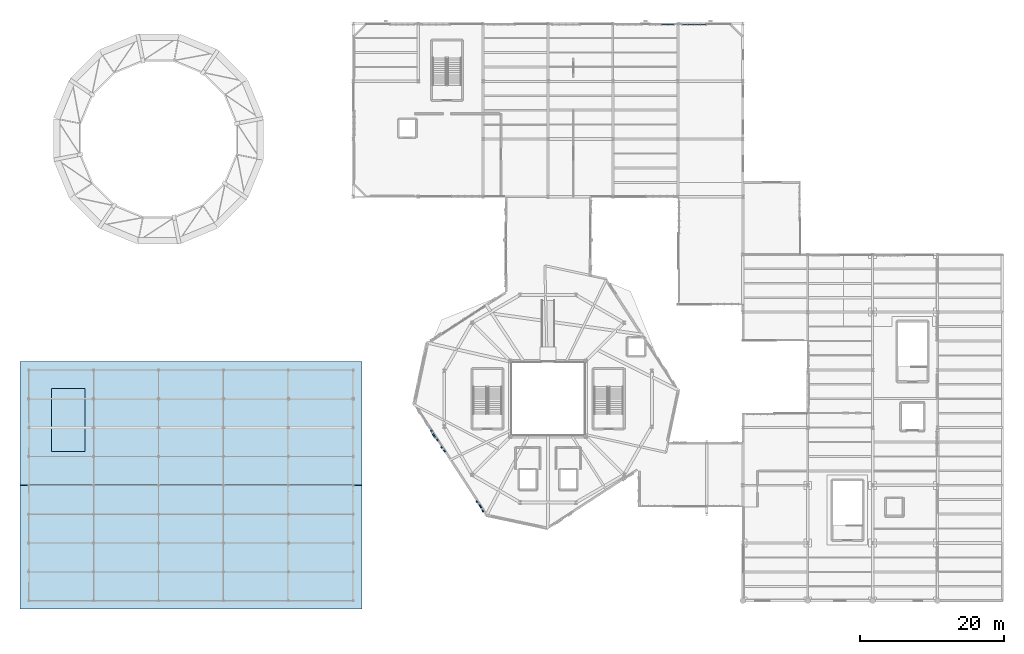
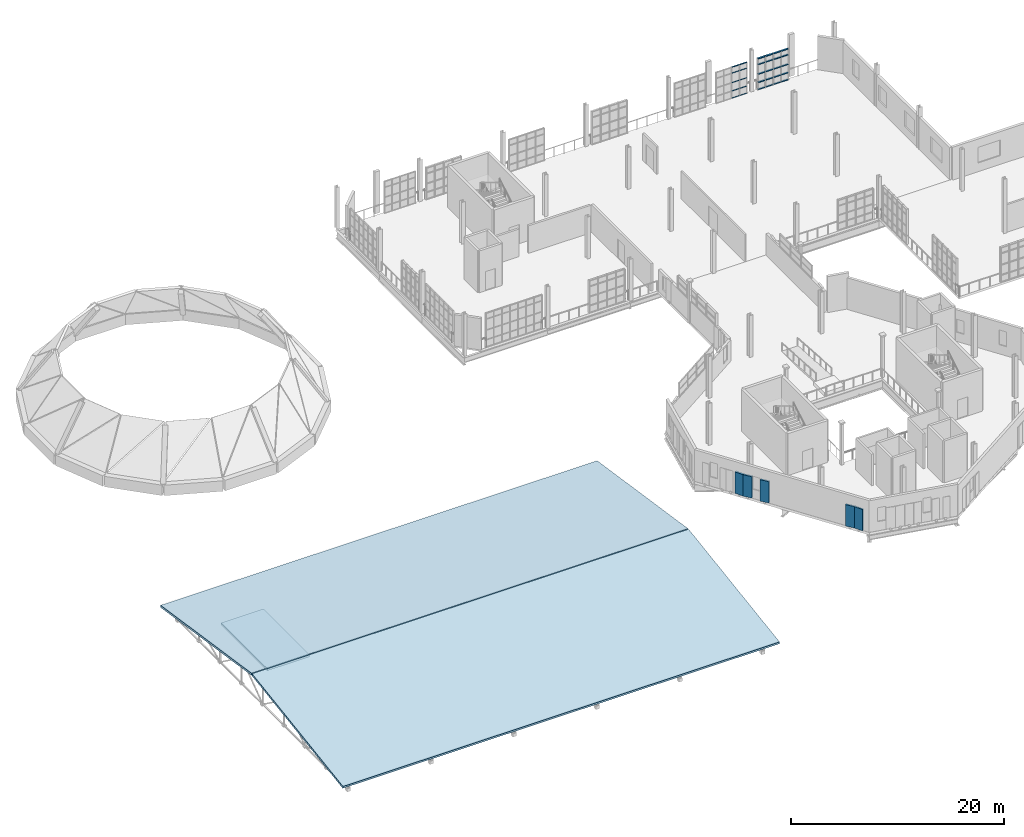
# One storey, part 86 of 118: 30 members, 5 plates, 3 slabs, 2 elements without a shape of their own.
"""IFC4 building model written with IfcOpenShell, lengths in metres."""

from ifc_helpers import new_model, si_unit, direction, frame, frame_2d, origin, origin_2d, place, context, subcontext, project, spatial, polyline, rectangle, hollow_rectangle, outline, extrude, material, layer, layer_set, material_profile, profile_set, type_object, element, aggregate, save


model = new_model("IFC4")

# Units and contexts
model_context = context("Model", 3, precision=1e-05, world=origin(), true_north=direction((0.0, 1.0)))
body_context = subcontext(model_context, "Body", "Model", "MODEL_VIEW")
ifc_project = project(units=[si_unit("LENGTHUNIT", "METRE"), si_unit("AREAUNIT", "SQUARE_METRE"), si_unit("VOLUMEUNIT", "CUBIC_METRE"), si_unit("PLANEANGLEUNIT", "RADIAN"), si_unit("MASSUNIT", "GRAM", prefix="KILO"), si_unit("THERMODYNAMICTEMPERATUREUNIT", "KELVIN"), si_unit("POWERUNIT", "WATT")], contexts=[model_context])

# Site, building, storey
site_placement = place(None, origin())
site = spatial("IfcSite", under=ifc_project, at=site_placement, CompositionType="ELEMENT")
building_placement = place(site_placement, origin())
building = spatial("IfcBuilding", under=site, at=building_placement, Name="Zelmaris Science Centre", CompositionType="ELEMENT")
storey_placement = place(building_placement, frame((0.0, 0.0, 15.60009765625)))
storey = spatial("IfcBuildingStorey", under=building, at=storey_placement, Name="L03", CompositionType="ELEMENT", Elevation=15.60009765625)

# Curtain wall, members
ifc_material_1 = material(Name="Anodised architectural aluminium 6063-T6", Category="aluminium")
ifc_layer_1 = layer(ifc_material_1, 0.219970703125, Name="Anodised architectural aluminium 6063-T6")
ifc_layer_set_1 = layer_set([ifc_layer_1], Name="Anodised architectural aluminium 6063-T6")
curtain_wall_type_1 = type_object("IfcCurtainWallType", Name="Curtain Wall CW-04", PredefinedType="USERDEFINED", material=ifc_layer_set_1)
curtain_wall_1_placement = place(storey_placement, origin())
curtain_wall_1 = element("IfcCurtainWall", 1, at=curtain_wall_1_placement, inside=storey, type_object=curtain_wall_type_1, Name="L03 Unitised curtain wall 288", ObjectType="GLAZED CURTAIN WALL", PredefinedType="USERDEFINED")
ifc_material_profile_1 = material_profile(ifc_material_1, hollow_rectangle(XDim=0.06005859375, YDim=0.110107421875, WallThickness=0.0029296875, at=origin_2d()), Name="ALU-TRN-60X110")
ifc_profile_set_1 = profile_set([ifc_material_profile_1], Name="Anodised architectural aluminium 6063-T6")
member_type_1 = type_object("IfcMemberType", Name="ALU-TRN-60X110", PredefinedType="USERDEFINED", material=ifc_profile_set_1)
member_1_placement = place(storey_placement, frame((96.77587890625, 87.8798828125, 0.010986328125), z_axis=(1.0, 0.0, 0.0), x_axis=(0.0, 0.0, 1.0)))
member_1 = element("IfcMember", 2, at=member_1_placement, type_object=member_type_1, Name="CW-04 transom 3.1", ObjectType="TRANSOM", PredefinedType="USERDEFINED", context=body_context, shape_type="SweptSolid", body=[
    extrude(hollow_rectangle(XDim=0.06005859375, YDim=0.110107421875, WallThickness=0.0029296875, at=origin_2d()), origin(), (0.0, 0.0, 1.0), 0.80322265625),
])
member_2_placement = place(storey_placement, frame((96.77587890625, 87.8798828125, 0.8349609375), z_axis=(1.0, 0.0, 0.0), x_axis=(0.0, 0.0, 1.0)))
member_2 = element("IfcMember", 3, at=member_2_placement, type_object=member_type_1, Name="CW-04 transom 3.2", ObjectType="TRANSOM", PredefinedType="USERDEFINED", context=body_context, shape_type="SweptSolid", body=[
    extrude(hollow_rectangle(XDim=0.06005859375, YDim=0.110107421875, WallThickness=0.0029296875, at=origin_2d()), origin(), (0.0, 0.0, 1.0), 0.80322265625),
])
member_3_placement = place(storey_placement, frame((96.77587890625, 87.8798828125, 1.786376953125), z_axis=(1.0, 0.0, 0.0), x_axis=(0.0, 0.0, 1.0)))
member_3 = element("IfcMember", 4, at=member_3_placement, type_object=member_type_1, Name="CW-04 transom 3.3", ObjectType="TRANSOM", PredefinedType="USERDEFINED", context=body_context, shape_type="SweptSolid", body=[
    extrude(hollow_rectangle(XDim=0.06005859375, YDim=0.110107421875, WallThickness=0.0029296875, at=origin_2d()), origin(), (0.0, 0.0, 1.0), 0.80322265625),
])
member_4_placement = place(storey_placement, frame((96.77587890625, 87.8798828125, 2.887939453125), z_axis=(1.0, 0.0, 0.0), x_axis=(0.0, 0.0, 1.0)))
member_4 = element("IfcMember", 5, at=member_4_placement, type_object=member_type_1, Name="CW-04 transom 3.4", ObjectType="TRANSOM", PredefinedType="USERDEFINED", context=body_context, shape_type="SweptSolid", body=[
    extrude(hollow_rectangle(XDim=0.06005859375, YDim=0.110107421875, WallThickness=0.0029296875, at=origin_2d()), origin(), (0.0, 0.0, 1.0), 0.80322265625),
])
member_5_placement = place(storey_placement, frame((96.77587890625, 87.8798828125, 3.56201171875), z_axis=(1.0, 0.0, 0.0), x_axis=(0.0, 0.0, 1.0)))
member_5 = element("IfcMember", 6, at=member_5_placement, type_object=member_type_1, Name="CW-04 transom 3.5", ObjectType="TRANSOM", PredefinedType="USERDEFINED", context=body_context, shape_type="SweptSolid", body=[
    extrude(hollow_rectangle(XDim=0.06005859375, YDim=0.110107421875, WallThickness=0.0029296875, at=origin_2d()), origin(), (0.0, 0.0, 1.0), 0.80322265625),
])
member_6_placement = place(storey_placement, frame((97.631103515625, 87.8798828125, 0.010986328125), z_axis=(1.0, 0.0, 0.0), x_axis=(0.0, 0.0, 1.0)))
member_6 = element("IfcMember", 7, at=member_6_placement, type_object=member_type_1, Name="CW-04 transom 4.1", ObjectType="TRANSOM", PredefinedType="USERDEFINED", context=body_context, shape_type="SweptSolid", body=[
    extrude(hollow_rectangle(XDim=0.06005859375, YDim=0.110107421875, WallThickness=0.0029296875, at=origin_2d()), origin(), (0.0, 0.0, 1.0), 0.77685546875),
])
member_7_placement = place(storey_placement, frame((97.631103515625, 87.8798828125, 0.8349609375), z_axis=(1.0, 0.0, 0.0), x_axis=(0.0, 0.0, 1.0)))
member_7 = element("IfcMember", 8, at=member_7_placement, type_object=member_type_1, Name="CW-04 transom 4.2", ObjectType="TRANSOM", PredefinedType="USERDEFINED", context=body_context, shape_type="SweptSolid", body=[
    extrude(hollow_rectangle(XDim=0.06005859375, YDim=0.110107421875, WallThickness=0.0029296875, at=origin_2d()), origin(), (0.0, 0.0, 1.0), 0.77685546875),
])
member_8_placement = place(storey_placement, frame((97.631103515625, 87.8798828125, 1.786376953125), z_axis=(1.0, 0.0, 0.0), x_axis=(0.0, 0.0, 1.0)))
member_8 = element("IfcMember", 9, at=member_8_placement, type_object=member_type_1, Name="CW-04 transom 4.3", ObjectType="TRANSOM", PredefinedType="USERDEFINED", context=body_context, shape_type="SweptSolid", body=[
    extrude(hollow_rectangle(XDim=0.06005859375, YDim=0.110107421875, WallThickness=0.0029296875, at=origin_2d()), origin(), (0.0, 0.0, 1.0), 0.77685546875),
])
member_9_placement = place(storey_placement, frame((97.631103515625, 87.8798828125, 2.887939453125), z_axis=(1.0, 0.0, 0.0), x_axis=(0.0, 0.0, 1.0)))
member_9 = element("IfcMember", 10, at=member_9_placement, type_object=member_type_1, Name="CW-04 transom 4.4", ObjectType="TRANSOM", PredefinedType="USERDEFINED", context=body_context, shape_type="SweptSolid", body=[
    extrude(hollow_rectangle(XDim=0.06005859375, YDim=0.110107421875, WallThickness=0.0029296875, at=origin_2d()), origin(), (0.0, 0.0, 1.0), 0.77685546875),
])
member_10_placement = place(storey_placement, frame((97.631103515625, 87.8798828125, 3.56201171875), z_axis=(1.0, 0.0, 0.0), x_axis=(0.0, 0.0, 1.0)))
member_10 = element("IfcMember", 11, at=member_10_placement, type_object=member_type_1, Name="CW-04 transom 4.5", ObjectType="TRANSOM", PredefinedType="USERDEFINED", context=body_context, shape_type="SweptSolid", body=[
    extrude(hollow_rectangle(XDim=0.06005859375, YDim=0.110107421875, WallThickness=0.0029296875, at=origin_2d()), origin(), (0.0, 0.0, 1.0), 0.77685546875),
])
aggregate(curtain_wall_1, [member_1, member_2, member_3, member_4, member_5, member_6, member_7, member_8, member_9, member_10])

ifc_layer_2 = layer(ifc_material_1, 0.18994140625, Name="Anodised architectural aluminium 6063-T6")
ifc_layer_set_2 = layer_set([ifc_layer_2], Name="Anodised architectural aluminium 6063-T6")
curtain_wall_type_2 = type_object("IfcCurtainWallType", Name="Curtain Wall CW-01", PredefinedType="USERDEFINED", material=ifc_layer_set_2)
curtain_wall_2_placement = place(storey_placement, origin())
curtain_wall_2 = element("IfcCurtainWall", 12, at=curtain_wall_2_placement, inside=storey, type_object=curtain_wall_type_2, Name="L03 Unitised curtain wall 289", ObjectType="GLAZED CURTAIN WALL", PredefinedType="USERDEFINED")
ifc_material_profile_2 = material_profile(ifc_material_1, hollow_rectangle(XDim=0.080078125, YDim=0.18994140625, WallThickness=0.00439453125, at=origin_2d()), Name="ALU-TRN-80X190")
ifc_profile_set_2 = profile_set([ifc_material_profile_2], Name="Anodised architectural aluminium 6063-T6")
member_type_2 = type_object("IfcMemberType", Name="ALU-TRN-80X190", PredefinedType="USERDEFINED", material=ifc_profile_set_2)
member_11_placement = place(storey_placement, frame((99.612060546875, 87.8798828125, 0.02099609375), z_axis=(1.0, 0.0, 0.0), x_axis=(0.0, 0.0, 1.0)))
member_11 = element("IfcMember", 13, at=member_11_placement, type_object=member_type_2, Name="CW-01 transom 1.1", ObjectType="TRANSOM", PredefinedType="USERDEFINED", context=body_context, shape_type="SweptSolid", body=[
    extrude(hollow_rectangle(XDim=0.080078125, YDim=0.18994140625, WallThickness=0.00439453125, at=origin_2d()), origin(), (0.0, 0.0, 1.0), 0.746826171875),
])
member_12_placement = place(storey_placement, frame((99.612060546875, 87.8798828125, 0.8349609375), z_axis=(1.0, 0.0, 0.0), x_axis=(0.0, 0.0, 1.0)))
member_12 = element("IfcMember", 14, at=member_12_placement, type_object=member_type_2, Name="CW-01 transom 1.2", ObjectType="TRANSOM", PredefinedType="USERDEFINED", context=body_context, shape_type="SweptSolid", body=[
    extrude(hollow_rectangle(XDim=0.080078125, YDim=0.18994140625, WallThickness=0.00439453125, at=origin_2d()), origin(), (0.0, 0.0, 1.0), 0.746826171875),
])
member_13_placement = place(storey_placement, frame((99.612060546875, 87.8798828125, 1.786376953125), z_axis=(1.0, 0.0, 0.0), x_axis=(0.0, 0.0, 1.0)))
member_13 = element("IfcMember", 15, at=member_13_placement, type_object=member_type_2, Name="CW-01 transom 1.3", ObjectType="TRANSOM", PredefinedType="USERDEFINED", context=body_context, shape_type="SweptSolid", body=[
    extrude(hollow_rectangle(XDim=0.080078125, YDim=0.18994140625, WallThickness=0.00439453125, at=origin_2d()), origin(), (0.0, 0.0, 1.0), 0.746826171875),
])
member_14_placement = place(storey_placement, frame((99.612060546875, 87.8798828125, 2.887939453125), z_axis=(1.0, 0.0, 0.0), x_axis=(0.0, 0.0, 1.0)))
member_14 = element("IfcMember", 16, at=member_14_placement, type_object=member_type_2, Name="CW-01 transom 1.4", ObjectType="TRANSOM", PredefinedType="USERDEFINED", context=body_context, shape_type="SweptSolid", body=[
    extrude(hollow_rectangle(XDim=0.080078125, YDim=0.18994140625, WallThickness=0.00439453125, at=origin_2d()), origin(), (0.0, 0.0, 1.0), 0.746826171875),
])
member_15_placement = place(storey_placement, frame((99.612060546875, 87.8798828125, 3.552001953125), z_axis=(1.0, 0.0, 0.0), x_axis=(0.0, 0.0, 1.0)))
member_15 = element("IfcMember", 17, at=member_15_placement, type_object=member_type_2, Name="CW-01 transom 1.5", ObjectType="TRANSOM", PredefinedType="USERDEFINED", context=body_context, shape_type="SweptSolid", body=[
    extrude(hollow_rectangle(XDim=0.080078125, YDim=0.18994140625, WallThickness=0.00439453125, at=origin_2d()), origin(), (0.0, 0.0, 1.0), 0.746826171875),
])
member_16_placement = place(storey_placement, frame((100.430908203125, 87.8798828125, 0.02099609375), z_axis=(1.0, 0.0, 0.0), x_axis=(0.0, 0.0, 1.0)))
member_16 = element("IfcMember", 18, at=member_16_placement, type_object=member_type_2, Name="CW-01 transom 2.1", ObjectType="TRANSOM", PredefinedType="USERDEFINED", context=body_context, shape_type="SweptSolid", body=[
    extrude(hollow_rectangle(XDim=0.080078125, YDim=0.18994140625, WallThickness=0.00439453125, at=origin_2d()), origin(), (0.0, 0.0, 1.0), 0.783203125),
])
member_17_placement = place(storey_placement, frame((100.430908203125, 87.8798828125, 0.8349609375), z_axis=(1.0, 0.0, 0.0), x_axis=(0.0, 0.0, 1.0)))
member_17 = element("IfcMember", 19, at=member_17_placement, type_object=member_type_2, Name="CW-01 transom 2.2", ObjectType="TRANSOM", PredefinedType="USERDEFINED", context=body_context, shape_type="SweptSolid", body=[
    extrude(hollow_rectangle(XDim=0.080078125, YDim=0.18994140625, WallThickness=0.00439453125, at=origin_2d()), origin(), (0.0, 0.0, 1.0), 0.783203125),
])
member_18_placement = place(storey_placement, frame((100.430908203125, 87.8798828125, 1.786376953125), z_axis=(1.0, 0.0, 0.0), x_axis=(0.0, 0.0, 1.0)))
member_18 = element("IfcMember", 20, at=member_18_placement, type_object=member_type_2, Name="CW-01 transom 2.3", ObjectType="TRANSOM", PredefinedType="USERDEFINED", context=body_context, shape_type="SweptSolid", body=[
    extrude(hollow_rectangle(XDim=0.080078125, YDim=0.18994140625, WallThickness=0.00439453125, at=origin_2d()), origin(), (0.0, 0.0, 1.0), 0.783203125),
])
member_19_placement = place(storey_placement, frame((100.430908203125, 87.8798828125, 2.887939453125), z_axis=(1.0, 0.0, 0.0), x_axis=(0.0, 0.0, 1.0)))
member_19 = element("IfcMember", 21, at=member_19_placement, type_object=member_type_2, Name="CW-01 transom 2.4", ObjectType="TRANSOM", PredefinedType="USERDEFINED", context=body_context, shape_type="SweptSolid", body=[
    extrude(hollow_rectangle(XDim=0.080078125, YDim=0.18994140625, WallThickness=0.00439453125, at=origin_2d()), origin(), (0.0, 0.0, 1.0), 0.783203125),
])
member_20_placement = place(storey_placement, frame((100.430908203125, 87.8798828125, 3.552001953125), z_axis=(1.0, 0.0, 0.0), x_axis=(0.0, 0.0, 1.0)))
member_20 = element("IfcMember", 22, at=member_20_placement, type_object=member_type_2, Name="CW-01 transom 2.5", ObjectType="TRANSOM", PredefinedType="USERDEFINED", context=body_context, shape_type="SweptSolid", body=[
    extrude(hollow_rectangle(XDim=0.080078125, YDim=0.18994140625, WallThickness=0.00439453125, at=origin_2d()), origin(), (0.0, 0.0, 1.0), 0.783203125),
])
member_21_placement = place(storey_placement, frame((101.285888671875, 87.8798828125, 0.02099609375), z_axis=(1.0, 0.0, 0.0), x_axis=(0.0, 0.0, 1.0)))
member_21 = element("IfcMember", 23, at=member_21_placement, type_object=member_type_2, Name="CW-01 transom 3.1", ObjectType="TRANSOM", PredefinedType="USERDEFINED", context=body_context, shape_type="SweptSolid", body=[
    extrude(hollow_rectangle(XDim=0.080078125, YDim=0.18994140625, WallThickness=0.00439453125, at=origin_2d()), origin(), (0.0, 0.0, 1.0), 0.783203125),
])
member_22_placement = place(storey_placement, frame((101.285888671875, 87.8798828125, 0.8349609375), z_axis=(1.0, 0.0, 0.0), x_axis=(0.0, 0.0, 1.0)))
member_22 = element("IfcMember", 24, at=member_22_placement, type_object=member_type_2, Name="CW-01 transom 3.2", ObjectType="TRANSOM", PredefinedType="USERDEFINED", context=body_context, shape_type="SweptSolid", body=[
    extrude(hollow_rectangle(XDim=0.080078125, YDim=0.18994140625, WallThickness=0.00439453125, at=origin_2d()), origin(), (0.0, 0.0, 1.0), 0.783203125),
])
member_23_placement = place(storey_placement, frame((101.285888671875, 87.8798828125, 1.786376953125), z_axis=(1.0, 0.0, 0.0), x_axis=(0.0, 0.0, 1.0)))
member_23 = element("IfcMember", 25, at=member_23_placement, type_object=member_type_2, Name="CW-01 transom 3.3", ObjectType="TRANSOM", PredefinedType="USERDEFINED", context=body_context, shape_type="SweptSolid", body=[
    extrude(hollow_rectangle(XDim=0.080078125, YDim=0.18994140625, WallThickness=0.00439453125, at=origin_2d()), origin(), (0.0, 0.0, 1.0), 0.783203125),
])
member_24_placement = place(storey_placement, frame((101.285888671875, 87.8798828125, 2.887939453125), z_axis=(1.0, 0.0, 0.0), x_axis=(0.0, 0.0, 1.0)))
member_24 = element("IfcMember", 26, at=member_24_placement, type_object=member_type_2, Name="CW-01 transom 3.4", ObjectType="TRANSOM", PredefinedType="USERDEFINED", context=body_context, shape_type="SweptSolid", body=[
    extrude(hollow_rectangle(XDim=0.080078125, YDim=0.18994140625, WallThickness=0.00439453125, at=origin_2d()), origin(), (0.0, 0.0, 1.0), 0.783203125),
])
member_25_placement = place(storey_placement, frame((101.285888671875, 87.8798828125, 3.552001953125), z_axis=(1.0, 0.0, 0.0), x_axis=(0.0, 0.0, 1.0)))
member_25 = element("IfcMember", 27, at=member_25_placement, type_object=member_type_2, Name="CW-01 transom 3.5", ObjectType="TRANSOM", PredefinedType="USERDEFINED", context=body_context, shape_type="SweptSolid", body=[
    extrude(hollow_rectangle(XDim=0.080078125, YDim=0.18994140625, WallThickness=0.00439453125, at=origin_2d()), origin(), (0.0, 0.0, 1.0), 0.783203125),
])
member_26_placement = place(storey_placement, frame((102.14111328125, 87.8798828125, 0.02099609375), z_axis=(1.0, 0.0, 0.0), x_axis=(0.0, 0.0, 1.0)))
member_26 = element("IfcMember", 28, at=member_26_placement, type_object=member_type_2, Name="CW-01 transom 4.1", ObjectType="TRANSOM", PredefinedType="USERDEFINED", context=body_context, shape_type="SweptSolid", body=[
    extrude(hollow_rectangle(XDim=0.080078125, YDim=0.18994140625, WallThickness=0.00439453125, at=origin_2d()), origin(), (0.0, 0.0, 1.0), 0.746826171875),
])
member_27_placement = place(storey_placement, frame((102.14111328125, 87.8798828125, 0.8349609375), z_axis=(1.0, 0.0, 0.0), x_axis=(0.0, 0.0, 1.0)))
member_27 = element("IfcMember", 29, at=member_27_placement, type_object=member_type_2, Name="CW-01 transom 4.2", ObjectType="TRANSOM", PredefinedType="USERDEFINED", context=body_context, shape_type="SweptSolid", body=[
    extrude(hollow_rectangle(XDim=0.080078125, YDim=0.18994140625, WallThickness=0.00439453125, at=origin_2d()), origin(), (0.0, 0.0, 1.0), 0.746826171875),
])
member_28_placement = place(storey_placement, frame((102.14111328125, 87.8798828125, 1.786376953125), z_axis=(1.0, 0.0, 0.0), x_axis=(0.0, 0.0, 1.0)))
member_28 = element("IfcMember", 30, at=member_28_placement, type_object=member_type_2, Name="CW-01 transom 4.3", ObjectType="TRANSOM", PredefinedType="USERDEFINED", context=body_context, shape_type="SweptSolid", body=[
    extrude(hollow_rectangle(XDim=0.080078125, YDim=0.18994140625, WallThickness=0.00439453125, at=origin_2d()), origin(), (0.0, 0.0, 1.0), 0.746826171875),
])
member_29_placement = place(storey_placement, frame((102.14111328125, 87.8798828125, 2.887939453125), z_axis=(1.0, 0.0, 0.0), x_axis=(0.0, 0.0, 1.0)))
member_29 = element("IfcMember", 31, at=member_29_placement, type_object=member_type_2, Name="CW-01 transom 4.4", ObjectType="TRANSOM", PredefinedType="USERDEFINED", context=body_context, shape_type="SweptSolid", body=[
    extrude(hollow_rectangle(XDim=0.080078125, YDim=0.18994140625, WallThickness=0.00439453125, at=origin_2d()), origin(), (0.0, 0.0, 1.0), 0.746826171875),
])
member_30_placement = place(storey_placement, frame((102.14111328125, 87.8798828125, 3.552001953125), z_axis=(1.0, 0.0, 0.0), x_axis=(0.0, 0.0, 1.0)))
member_30 = element("IfcMember", 32, at=member_30_placement, type_object=member_type_2, Name="CW-01 transom 4.5", ObjectType="TRANSOM", PredefinedType="USERDEFINED", context=body_context, shape_type="SweptSolid", body=[
    extrude(hollow_rectangle(XDim=0.080078125, YDim=0.18994140625, WallThickness=0.00439453125, at=origin_2d()), origin(), (0.0, 0.0, 1.0), 0.746826171875),
])
aggregate(curtain_wall_2, [member_11, member_12, member_13, member_14, member_15, member_16, member_17, member_18, member_19, member_20, member_21, member_22, member_23, member_24, member_25, member_26, member_27, member_28, member_29, member_30])

# Plates
ifc_material_2 = material(Name="Precast concrete C40/50", Category="concrete")
ifc_layer_3 = layer(ifc_material_2, 0.179931640625, Name="Precast concrete C40/50")
ifc_layer_set_3 = layer_set([ifc_layer_3], Name="Precast concrete C40/50")
plate_type_1 = type_object("IfcPlateType", Name="Precast Facet Panel FP-08 180mm", PredefinedType="SHEET", material=ifc_layer_set_3)
plate_1_placement = place(storey_placement, frame((72.023193359375, 20.309814453125, 0.02001953125), z_axis=(0.0, 0.0, 1.0), x_axis=(-0.456902805347, 0.889516625177, 0.0)))
element("IfcPlate", 33, at=plate_1_placement, inside=storey, type_object=plate_type_1, Name="L03 Folded precast facet panel 127", PredefinedType="SHEET", context=body_context, shape_type="SweptSolid", body=[
    extrude(rectangle(XDim=0.904541015625, YDim=0.179931640625, at=frame_2d((0.4521484375, 0.0))), origin(), (0.0, 0.0, 1.0), 2.4599609375),
])
ifc_layer_4 = layer(ifc_material_2, 0.18994140625, Name="Precast concrete C40/50")
ifc_layer_set_4 = layer_set([ifc_layer_4], Name="Precast concrete C40/50")
plate_type_2 = type_object("IfcPlateType", Name="Precast Facet Panel FP-09 190mm", PredefinedType="SHEET", material=ifc_layer_set_4)
plate_2_placement = place(storey_placement, frame((71.60986328125, 21.114501953125, 0.02001953125), z_axis=(0.0, 0.0, 1.0), x_axis=(-0.626733705789, 0.779233509308, 0.0)))
element("IfcPlate", 34, at=plate_2_placement, inside=storey, type_object=plate_type_2, Name="L03 Folded precast facet panel 128", PredefinedType="SHEET", context=body_context, shape_type="SweptSolid", body=[
    extrude(rectangle(XDim=0.904541015625, YDim=0.18994140625, at=frame_2d((0.4521484375, 0.0))), origin(), (0.0, 0.0, 1.0), 2.4599609375),
])
ifc_layer_5 = layer(ifc_material_2, 0.199951171875, Name="Precast concrete C40/50")
ifc_layer_set_5 = layer_set([ifc_layer_5], Name="Precast concrete C40/50")
plate_type_3 = type_object("IfcPlateType", Name="Precast Facet Panel FP-10 200mm", PredefinedType="SHEET", material=ifc_layer_set_5)
plate_3_placement = place(storey_placement, frame((66.7080078125, 28.66259765625, 0.02001953125), z_axis=(0.0, 0.0, 1.0), x_axis=(-0.626733705789, 0.779233509308, 0.0)))
element("IfcPlate", 35, at=plate_3_placement, inside=storey, type_object=plate_type_3, Name="L03 Folded precast facet panel 129", PredefinedType="SHEET", context=body_context, shape_type="SweptSolid", body=[
    extrude(rectangle(XDim=0.904541015625, YDim=0.199951171875, at=frame_2d((0.4521484375, 0.0))), origin(), (0.0, 0.0, 1.0), 2.4599609375),
])
ifc_layer_6 = layer(ifc_material_2, 0.2099609375, Name="Precast concrete C40/50")
ifc_layer_set_6 = layer_set([ifc_layer_6], Name="Precast concrete C40/50")
plate_type_4 = type_object("IfcPlateType", Name="Precast Facet Panel FP-11 210mm", PredefinedType="SHEET", material=ifc_layer_set_6)
plate_4_placement = place(storey_placement, frame((65.727783203125, 30.172119140625, 0.02001953125), z_axis=(0.0, 0.0, 1.0), x_axis=(-0.626733705789, 0.779233509308, 0.0)))
element("IfcPlate", 36, at=plate_4_placement, inside=storey, type_object=plate_type_4, Name="L03 Folded precast facet panel 130", PredefinedType="SHEET", context=body_context, shape_type="SweptSolid", body=[
    extrude(rectangle(XDim=0.904541015625, YDim=0.2099609375, at=frame_2d((0.4521484375, 0.0))), origin(), (0.0, 0.0, 1.0), 2.4599609375),
])
ifc_layer_7 = layer(ifc_material_2, 0.219970703125, Name="Precast concrete C40/50")
ifc_layer_set_7 = layer_set([ifc_layer_7], Name="Precast concrete C40/50")
plate_type_5 = type_object("IfcPlateType", Name="Precast Facet Panel FP-12 220mm", PredefinedType="SHEET", material=ifc_layer_set_7)
plate_5_placement = place(storey_placement, frame((65.160888671875, 30.876953125, 0.02001953125), z_axis=(0.0, 0.0, 1.0), x_axis=(-0.45711630377, 0.889406928705, 0.0)))
element("IfcPlate", 37, at=plate_5_placement, inside=storey, type_object=plate_type_5, Name="L03 Folded precast facet panel 131", PredefinedType="SHEET", context=body_context, shape_type="SweptSolid", body=[
    extrude(rectangle(XDim=0.90478515625, YDim=0.219970703125, at=frame_2d((0.452392578125, 0.0))), origin(), (0.0, 0.0, 1.0), 2.4599609375),
])

# Slabs
ifc_material_3 = material(Name="Concrete C35/45", Category="concrete")
ifc_layer_8 = layer(ifc_material_3, 0.239990234375, Name="Concrete C35/45")
ifc_layer_set_8 = layer_set([ifc_layer_8], Name="Concrete C35/45")
slab_type = type_object("IfcSlabType", Name="Slab SL-RF240 240mm", PredefinedType="ROOF", material=ifc_layer_set_8)
for number, where, z_axis, x_axis, name in (
    (38, (7.800048828125, 6.85009765625, 1.27734375), (0.0, -0.148347352441, 0.988935317917), (1.0, 0.0, 0.0), "RF-V3 Hurricane pitched roof slab S"),
    (39, (7.800048828125, 24.0380859375, 3.84423828125), (0.0, 0.148347352441, 0.988935317917), (1.0, 0.0, 0.0), "RF-V3 Hurricane pitched roof slab N"),
):
    element("IfcSlab", number, at=place(storey_placement, frame(where, z_axis=z_axis, x_axis=x_axis)), inside=storey, type_object=slab_type, Name=name, PredefinedType="ROOF", context=body_context, shape_type="SweptSolid", body=[
        extrude(outline(polyline([(0.0, 0.0), (47.39990234375, 0.0), (47.39990234375, 17.303271605559683), (0.0, 17.303271605559683), (0.0, 0.0)])), origin(), (0.0, 0.0, -1.0), 0.239990234375),
    ])
slab_placement = place(storey_placement, frame((0.0, 0.0, -0.239990234375)))
element("IfcSlab", 40, at=slab_placement, inside=storey, type_object=slab_type, Name="ST-6 Stair shaft headhouse roof slab", PredefinedType="ROOF", context=body_context, shape_type="SweptSolid", body=[
    extrude(outline(polyline([(16.800048828125, 28.699951171875), (16.800048828125, 37.39990234375), (12.199951171875, 37.39990234375), (12.199951171875, 28.699951171875), (16.800048828125, 28.699951171875)])), origin(), (0.0, 0.0, 1.0), 0.239990234375),
])

save(model, "model.ifc")
